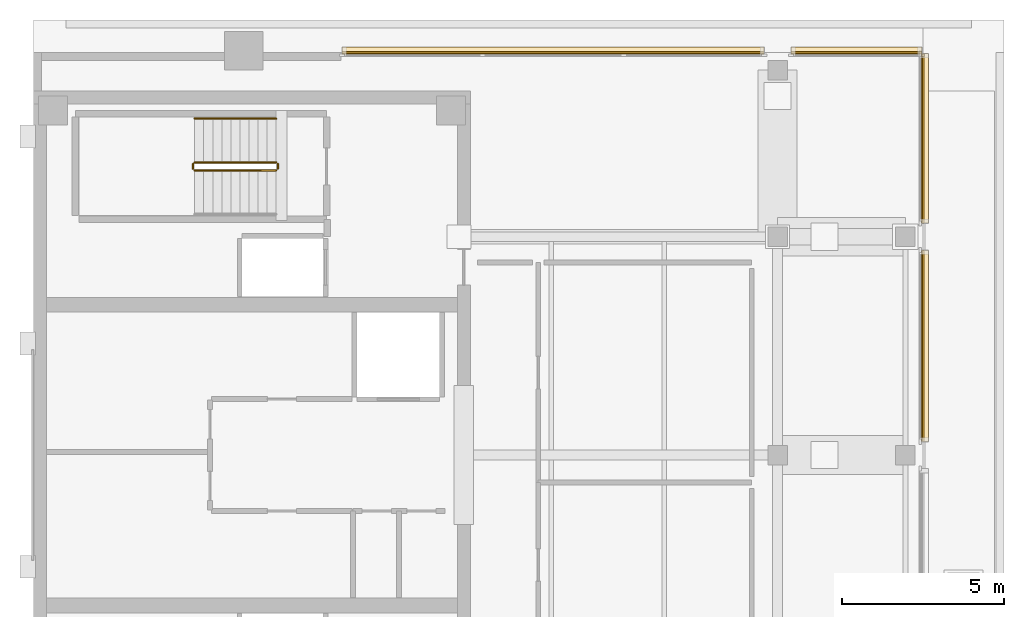
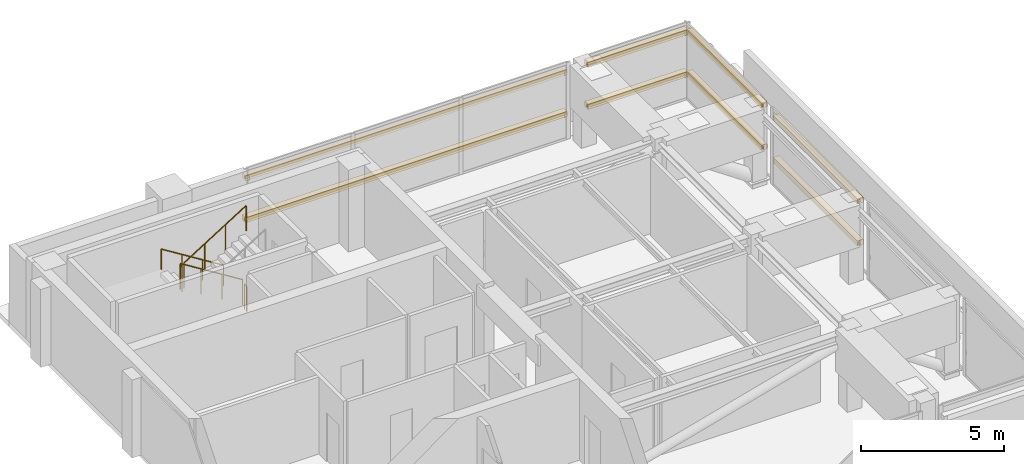
# One storey, part 9 of 9: 8 coverings, 8 shading devices, 5 railings.
"""IFC4 building model written with IfcOpenShell, lengths in metres."""

from ifc_helpers import new_model, si_unit, direction, frame, origin, origin_2d, place, context, subcontext, project, spatial, polyline, rectangle, circle, outline, extrude, material, layer, layer_set, material_profile, profile_set, type_object, element, save


model = new_model("IFC4")

# Units and contexts
model_context = context("Model", 3, precision=1e-05, world=origin(), true_north=direction((0.0, 1.0)))
body_context = subcontext(model_context, "Body", "Model", "MODEL_VIEW")
ifc_project = project(units=[si_unit("LENGTHUNIT", "METRE"), si_unit("AREAUNIT", "SQUARE_METRE"), si_unit("VOLUMEUNIT", "CUBIC_METRE"), si_unit("PLANEANGLEUNIT", "RADIAN"), si_unit("MASSUNIT", "GRAM", prefix="KILO")], contexts=[model_context])

# Site, building, storey
site_placement = place(None, origin())
site = spatial("IfcSite", under=ifc_project, at=site_placement, CompositionType="ELEMENT")
building_placement = place(site_placement, origin())
building = spatial("IfcBuilding", under=site, at=building_placement, Name="Kinhvarn Gate Tower", CompositionType="ELEMENT")
storey_placement = place(building_placement, frame((0.0, 0.0, 318.050048828125)))
storey = spatial("IfcBuildingStorey", under=building, at=storey_placement, Name="L84", CompositionType="ELEMENT", Elevation=318.050048828125)

# Coverings
ifc_material_1 = material(Name="Fired architectural terracotta", Category="masonry")
ifc_layer = layer(ifc_material_1, 0.239990234375)
ifc_layer_set = layer_set([ifc_layer], Name="Fired architectural terracotta")
covering_type = type_object("IfcCoveringType", Name="COV-BAG-220", PredefinedType="CLADDING", material=ifc_layer_set)
for number, where, name in (
    (1, (0.0, 0.0, 0.93994140625), "Terracotta Horizontal Sunscreen Band TBG-220 (L84)"),
    (2, (0.0, 0.0, 2.739990234375), "Terracotta Horizontal Sunscreen Band TBG-220 (L84)"),
):
    element("IfcCovering", number, at=place(storey_placement, frame(where)), inside=storey, type_object=covering_type, Name=name, PredefinedType="CLADDING", context=body_context, shape_type="SweptSolid", body=[
        extrude(outline(polyline([(31.9599609375, 37.6298828125), (27.919921875, 37.6298828125), (27.919921875, 37.8701171875), (31.9599609375, 37.8701171875), (31.9599609375, 37.6298828125)])), origin(), (0.0, 0.0, 1.0), 0.219970703125),
    ])
for number, where, name in (
    (3, (0.0, 0.0, 0.93994140625), "Terracotta Horizontal Sunscreen Band TBG-220 (L84)"),
    (4, (0.0, 0.0, 2.739990234375), "Terracotta Horizontal Sunscreen Band TBG-220 (L84)"),
):
    element("IfcCovering", number, at=place(storey_placement, frame(where)), inside=storey, type_object=covering_type, Name=name, PredefinedType="CLADDING", context=body_context, shape_type="SweptSolid", body=[
        extrude(outline(polyline([(27.080078125, 37.6298828125), (14.0400390625, 37.6298828125), (14.0400390625, 37.8701171875), (27.080078125, 37.8701171875), (27.080078125, 37.6298828125)])), origin(), (0.0, 0.0, 1.0), 0.219970703125),
    ])
for number, where, name in (
    (5, (0.0, 0.0, 0.93994140625), "Terracotta Horizontal Sunscreen Band TBG-220 (L84)"),
    (6, (0.0, 0.0, 2.739990234375), "Terracotta Horizontal Sunscreen Band TBG-220 (L84)"),
):
    element("IfcCovering", number, at=place(storey_placement, frame(where)), inside=storey, type_object=covering_type, Name=name, PredefinedType="CLADDING", context=body_context, shape_type="SweptSolid", body=[
        extrude(outline(polyline([(31.929931640625, 25.669921875), (31.929931640625, 31.580078125), (32.169921875, 31.580078125), (32.169921875, 25.669921875), (31.929931640625, 25.669921875)])), origin(), (0.0, 0.0, 1.0), 0.219970703125),
    ])
for number, where, name in (
    (7, (0.0, 0.0, 0.93994140625), "Terracotta Horizontal Sunscreen Band TBG-220 (L84)"),
    (8, (0.0, 0.0, 2.739990234375), "Terracotta Horizontal Sunscreen Band TBG-220 (L84)"),
):
    element("IfcCovering", number, at=place(storey_placement, frame(where)), inside=storey, type_object=covering_type, Name=name, PredefinedType="CLADDING", context=body_context, shape_type="SweptSolid", body=[
        extrude(outline(polyline([(31.929931640625, 32.419921875), (31.929931640625, 37.659912109375), (32.169921875, 37.659912109375), (32.169921875, 32.419921875), (31.929931640625, 32.419921875)])), origin(), (0.0, 0.0, 1.0), 0.219970703125),
    ])

# Railings
ifc_material_2 = material(Name="Steel S355", Category="steel")
railing_type_1 = type_object("IfcRailingType", Name="RL-ST-GRD", PredefinedType="BALUSTRADE", material=ifc_material_2)
railing_1_placement = place(storey_placement, frame((12.0, 34.300048828125, 0.175048828125)))
element("IfcRailing", 9, at=railing_1_placement, inside=storey, type_object=railing_type_1, Name="L84 ST2 stair guard 1", PredefinedType="BALUSTRADE", context=body_context, shape_type="SweptSolid", body=[
    extrude(circle(Radius=0.02392578125, at=origin_2d()), frame((0.0, 0.0, 1.076171875), z_axis=(-0.848007534815, 0.0, 0.529984170421), x_axis=(0.0, -1.0, 0.0)), (0.0, 0.0, 1.0), 2.9716796875),
    extrude(circle(Radius=0.02099609375, at=origin_2d()), origin(), (0.0, 0.0, 1.0), 1.052001953125),
    extrude(circle(Radius=0.02099609375, at=origin_2d()), frame((-0.840087890625, 0.0, 0.52490234375)), (0.0, 0.0, 1.0), 1.052001953125),
    extrude(circle(Radius=0.02099609375, at=origin_2d()), frame((-1.679931640625, 0.0, 1.050048828125)), (0.0, 0.0, 1.0), 1.052001953125),
    extrude(circle(Radius=0.02099609375, at=origin_2d()), frame((-2.52001953125, 0.0, 1.574951171875)), (0.0, 0.0, 1.0), 1.052001953125),
])
railing_2_placement = place(storey_placement, frame((9.429931640625, 34.25, 1.75)))
element("IfcRailing", 10, at=railing_2_placement, inside=storey, type_object=railing_type_1, Name="L84 ST2 stair guard 2", PredefinedType="BALUSTRADE", context=body_context, shape_type="SweptSolid", body=[
    extrude(circle(Radius=0.02392578125, at=origin_2d()), frame((0.0, 0.0, 1.076171875), z_axis=(0.0, -1.0, 0.0), x_axis=(1.0, 0.0, 0.0)), (0.0, 0.0, 1.0), 0.14990234375),
    extrude(circle(Radius=0.02099609375, at=origin_2d()), origin(), (0.0, 0.0, 1.0), 1.052001953125),
    extrude(circle(Radius=0.02099609375, at=origin_2d()), frame((0.0, -0.14990234375, 0.0)), (0.0, 0.0, 1.0), 1.052001953125),
])
railing_3_placement = place(storey_placement, frame((9.47998046875, 34.050048828125, 1.925048828125)))
element("IfcRailing", 11, at=railing_3_placement, inside=storey, type_object=railing_type_1, Name="L84 ST2 stair guard 3", PredefinedType="BALUSTRADE", context=body_context, shape_type="SweptSolid", body=[
    extrude(circle(Radius=0.02392578125, at=origin_2d()), frame((0.0, 0.0, 1.076171875), z_axis=(0.848007534815, 0.0, 0.529984170421), x_axis=(0.0, 1.0, 0.0)), (0.0, 0.0, 1.0), 2.9716796875),
    extrude(circle(Radius=0.02099609375, at=origin_2d()), origin(), (0.0, 0.0, 1.0), 1.052001953125),
    extrude(circle(Radius=0.02099609375, at=origin_2d()), frame((0.840087890625, 0.0, 0.52490234375)), (0.0, 0.0, 1.0), 1.052001953125),
    extrude(circle(Radius=0.02099609375, at=origin_2d()), frame((1.679931640625, 0.0, 1.050048828125)), (0.0, 0.0, 1.0), 1.052001953125),
    extrude(circle(Radius=0.02099609375, at=origin_2d()), frame((2.52001953125, 0.0, 1.574951171875)), (0.0, 0.0, 1.0), 1.052001953125),
])
railing_4_placement = place(storey_placement, frame((12.050048828125, 34.25, 0.0)))
element("IfcRailing", 12, at=railing_4_placement, inside=storey, type_object=railing_type_1, Name="L84 ST2 stair guard 4", PredefinedType="BALUSTRADE", context=body_context, shape_type="SweptSolid", body=[
    extrude(circle(Radius=0.02392578125, at=origin_2d()), frame((0.0, 0.0, 1.076171875), z_axis=(0.0, -1.0, 0.0), x_axis=(1.0, 0.0, 0.0)), (0.0, 0.0, 1.0), 0.14990234375),
    extrude(circle(Radius=0.02099609375, at=origin_2d()), origin(), (0.0, 0.0, 1.0), 1.052001953125),
    extrude(circle(Radius=0.02099609375, at=origin_2d()), frame((0.0, -0.14990234375, 0.0)), (0.0, 0.0, 1.0), 1.052001953125),
])
railing_type_2 = type_object("IfcRailingType", Name="RL-ST-HND", PredefinedType="HANDRAIL", material=ifc_material_2)
railing_5_placement = place(storey_placement, frame((12.0, 35.64990234375, 0.175048828125)))
element("IfcRailing", 13, at=railing_5_placement, inside=storey, type_object=railing_type_2, Name="L84 ST2 stair handrail 1", PredefinedType="HANDRAIL", context=body_context, shape_type="SweptSolid", body=[
    extrude(circle(Radius=0.02392578125, at=origin_2d()), frame((0.0, 0.0, 0.8759765625), z_axis=(-0.848007534815, 0.0, 0.529984170421), x_axis=(0.0, -1.0, 0.0)), (0.0, 0.0, 1.0), 2.9716796875),
    extrude(circle(Radius=0.02099609375, at=origin_2d()), origin(), (0.0, 0.0, 1.0), 0.851806640625),
    extrude(circle(Radius=0.02099609375, at=origin_2d()), frame((-0.840087890625, 0.0, 0.52490234375)), (0.0, 0.0, 1.0), 0.851806640625),
    extrude(circle(Radius=0.02099609375, at=origin_2d()), frame((-1.679931640625, 0.0, 1.050048828125)), (0.0, 0.0, 1.0), 0.851806640625),
    extrude(circle(Radius=0.02099609375, at=origin_2d()), frame((-2.52001953125, 0.0, 1.574951171875)), (0.0, 0.0, 1.0), 0.851806640625),
])

# Shading devices
ifc_material_profile = material_profile(ifc_material_1, rectangle(XDim=0.050048828125, YDim=0.1201171875, at=origin_2d()), Name="TC 50x120")
ifc_profile_set = profile_set([ifc_material_profile], Name="Fired architectural terracotta")
shading_device_type = type_object("IfcShadingDeviceType", Name="SHD-BAG-140", PredefinedType="USERDEFINED", material=ifc_profile_set)
for number, where, z_axis, x_axis, name in (
    (14, (31.9599609375, 37.699951171875, 1.050048828125), (-1.0, 0.0, 0.0), (0.0, -1.0, 0.0), "Upper Tower Terracotta Baguette Screen Rod 50x120 mm (L84)"),
    (15, (31.9599609375, 37.699951171875, 2.849853515625), (-1.0, 0.0, 0.0), (0.0, -1.0, 0.0), "Upper Tower Terracotta Baguette Screen Rod 50x120 mm (L84)"),
):
    element("IfcShadingDevice", number, at=place(storey_placement, frame(where, z_axis=z_axis, x_axis=x_axis)), inside=storey, type_object=shading_device_type, Name=name, ObjectType="BAGUETTE", PredefinedType="USERDEFINED", context=body_context, shape_type="SweptSolid", body=[
        extrude(rectangle(XDim=0.050048828125, YDim=0.1201171875, at=origin_2d()), origin(), (0.0, 0.0, 1.0), 4.0400390625),
    ])
for number, where, z_axis, x_axis, name in (
    (16, (27.080078125, 37.699951171875, 1.050048828125), (-1.0, 0.0, 0.0), (0.0, -1.0, 0.0), "Upper Tower Terracotta Baguette Screen Rod 50x120 mm (L84)"),
    (17, (27.080078125, 37.699951171875, 2.849853515625), (-1.0, 0.0, 0.0), (0.0, -1.0, 0.0), "Upper Tower Terracotta Baguette Screen Rod 50x120 mm (L84)"),
):
    element("IfcShadingDevice", number, at=place(storey_placement, frame(where, z_axis=z_axis, x_axis=x_axis)), inside=storey, type_object=shading_device_type, Name=name, ObjectType="BAGUETTE", PredefinedType="USERDEFINED", context=body_context, shape_type="SweptSolid", body=[
        extrude(rectangle(XDim=0.050048828125, YDim=0.1201171875, at=origin_2d()), origin(), (0.0, 0.0, 1.0), 13.0400390625),
    ])
for number, where, z_axis, x_axis, name in (
    (18, (32.0, 25.669921875, 1.050048828125), (0.0, 1.0, 0.0), (-1.0, 0.0, 0.0), "Upper Tower Terracotta Baguette Screen Rod 50x120 mm (L84)"),
    (19, (32.0, 25.669921875, 2.849853515625), (0.0, 1.0, 0.0), (-1.0, 0.0, 0.0), "Upper Tower Terracotta Baguette Screen Rod 50x120 mm (L84)"),
):
    element("IfcShadingDevice", number, at=place(storey_placement, frame(where, z_axis=z_axis, x_axis=x_axis)), inside=storey, type_object=shading_device_type, Name=name, ObjectType="BAGUETTE", PredefinedType="USERDEFINED", context=body_context, shape_type="SweptSolid", body=[
        extrude(rectangle(XDim=0.050048828125, YDim=0.1201171875, at=origin_2d()), origin(), (0.0, 0.0, 1.0), 5.91015625),
    ])
for number, where, z_axis, x_axis, name in (
    (20, (32.0, 32.419921875, 1.050048828125), (0.0, 1.0, 0.0), (-1.0, 0.0, 0.0), "Upper Tower Terracotta Baguette Screen Rod 50x120 mm (L84)"),
    (21, (32.0, 32.419921875, 2.849853515625), (0.0, 1.0, 0.0), (-1.0, 0.0, 0.0), "Upper Tower Terracotta Baguette Screen Rod 50x120 mm (L84)"),
):
    element("IfcShadingDevice", number, at=place(storey_placement, frame(where, z_axis=z_axis, x_axis=x_axis)), inside=storey, type_object=shading_device_type, Name=name, ObjectType="BAGUETTE", PredefinedType="USERDEFINED", context=body_context, shape_type="SweptSolid", body=[
        extrude(rectangle(XDim=0.050048828125, YDim=0.1201171875, at=origin_2d()), origin(), (0.0, 0.0, 1.0), 5.239990234375),
    ])

save(model, "model.ifc")
